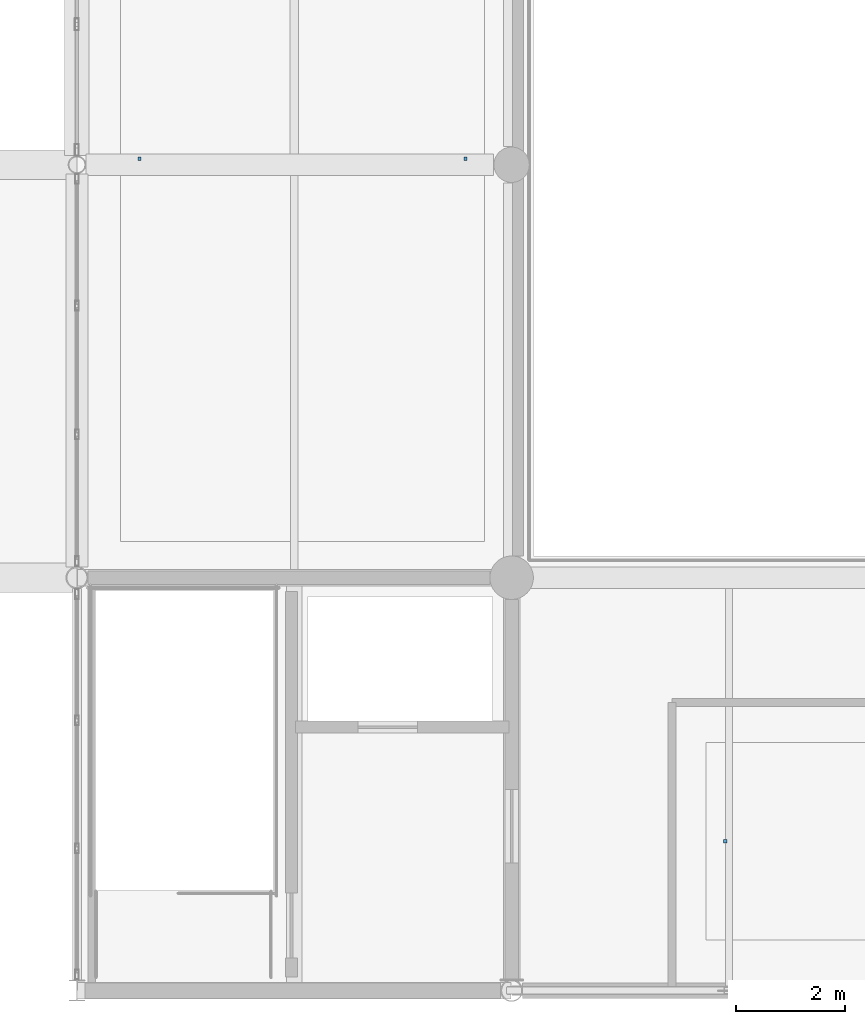
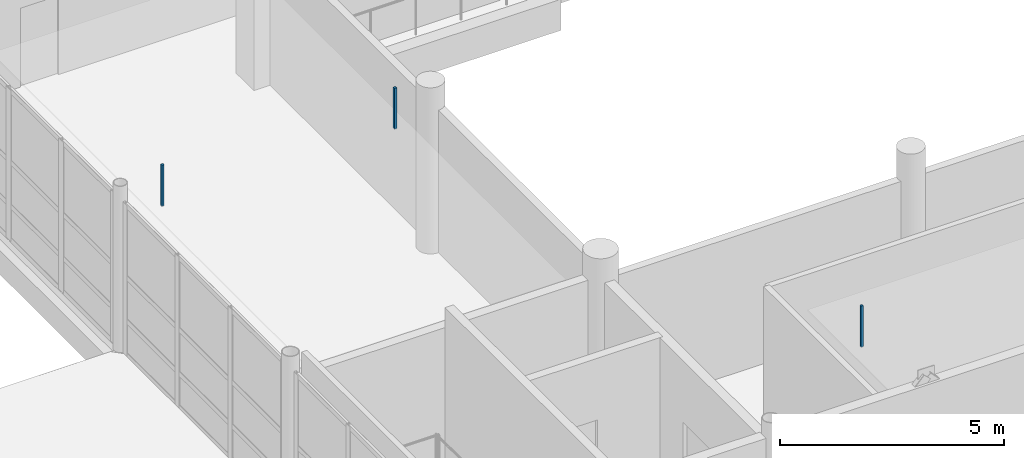
# One storey, part 85 of 107: 3 discrete accessories.
"""IFC4 building model written with IfcOpenShell, lengths in metres."""

import ifcopenshell
import ifcopenshell.guid

model = None  # the IFC model being written
_history = None  # IfcOwnerHistory: only IFC2X3 demands one
_inside = {}  # id of a spatial element -> (the spatial element, [elements in it])
_under = {}  # id of a project, library or spatial element -> (it, [spatial elements below it])
_declared = {}  # id of a project -> (the project, [libraries it declares])
_typed = {}  # id of a type object -> (the type object, [elements of that type])
_made_of = {}  # id of a material, layer set ... -> (it, [elements and type objects made of it])


def new_model(schema):
    """Start an empty IFC model of exactly this schema.

    Asked for "IFC4X3", IfcOpenShell would pick the latest addendum, in which some entities
    have other attributes; the version numbers below select the first issue.
    IFC2X3 requires an IfcOwnerHistory on every rooted entity: one is made here for all.
    """
    global model, _history
    if schema == "IFC4X3":
        model = ifcopenshell.file(schema_version=(4, 3, 0, 0))
    else:
        model = ifcopenshell.file(schema=schema)
    _inside.clear()
    _under.clear()
    _declared.clear()
    _typed.clear()
    _made_of.clear()
    _history = None
    if model.schema == "IFC2X3":
        org = make("IfcOrganization", Name="unknown")
        user = make(
            "IfcPersonAndOrganization",
            ThePerson=make("IfcPerson", FamilyName="unknown"),
            TheOrganization=org,
        )
        app = make(
            "IfcApplication",
            ApplicationDeveloper=org,
            Version="unknown",
            ApplicationFullName="unknown",
            ApplicationIdentifier="unknown",
        )
        _history = make(
            "IfcOwnerHistory",
            OwningUser=user,
            OwningApplication=app,
            ChangeAction="ADDED",
            CreationDate=0,
        )
    return model


def make(cls, **values):
    """One entity of the class cls with the attributes given. An attribute that is None is left unset."""
    return model.create_entity(
        cls, **{name: value for name, value in values.items() if value is not None}
    )


def rooted(cls, **values):
    """An entity with a GlobalId (a new one), such as an element, a storey or a relation."""
    return make(cls, GlobalId=ifcopenshell.guid.new(), OwnerHistory=_history, **values)


def si_unit(unit_type, name, prefix=None):
    """IfcSIUnit, for example si_unit("LENGTHUNIT", "METRE", prefix="MILLI")."""
    return make("IfcSIUnit", UnitType=unit_type, Prefix=prefix, Name=name)


def assignment(units):
    """IfcUnitAssignment: the units of a project."""
    return None if units is None else make("IfcUnitAssignment", Units=units)


def point(xyz):
    """IfcCartesianPoint."""
    return None if xyz is None else make("IfcCartesianPoint", Coordinates=xyz)


def direction(xyz):
    """IfcDirection."""
    return None if xyz is None else make("IfcDirection", DirectionRatios=xyz)


def frame(location, z_axis=None, x_axis=None):
    """IfcAxis2Placement3D, a coordinate frame: its origin and axes. An axis left out is left unset."""
    return make(
        "IfcAxis2Placement3D",
        Location=point(location),
        Axis=direction(z_axis),
        RefDirection=direction(x_axis),
    )


def frame_2d(location, x_axis=None):
    """IfcAxis2Placement2D, a coordinate frame in the plane: its origin and x axis."""
    return make(
        "IfcAxis2Placement2D", Location=point(location), RefDirection=direction(x_axis)
    )


def origin():
    """The frame at (0, 0, 0) with its axes left unset."""
    return frame((0.0, 0.0, 0.0))


def origin_2d():
    """The frame at (0, 0) in the plane with its x axis left unset."""
    return frame_2d((0.0, 0.0))


def place(relative_to, where):
    """IfcLocalPlacement: puts the frame where relative to a parent placement (None: the world)."""
    return make(
        "IfcLocalPlacement", PlacementRelTo=relative_to, RelativePlacement=where
    )


def context(
    kind, dimensions, precision=None, world=None, true_north=None, identifier=None
):
    """IfcGeometricRepresentationContext, for example the 3D "Model" context."""
    return make(
        "IfcGeometricRepresentationContext",
        ContextIdentifier=identifier,
        ContextType=kind,
        CoordinateSpaceDimension=dimensions,
        Precision=precision,
        WorldCoordinateSystem=world,
        TrueNorth=true_north,
    )


def subcontext(parent, identifier, kind, view, scale=None):
    """IfcGeometricRepresentationSubContext, for example "Body" below "Model"."""
    return make(
        "IfcGeometricRepresentationSubContext",
        ContextIdentifier=identifier,
        ContextType=kind,
        ParentContext=parent,
        TargetScale=scale,
        TargetView=view,
    )


def project(units=None, contexts=None):
    """IfcProject with its units and contexts."""
    return rooted(
        "IfcProject",
        Name="project",
        RepresentationContexts=contexts,
        UnitsInContext=assignment(units),
    )


def spatial(cls, under=None, at=None, **own):
    """A site, building, storey or space (cls), placed at a placement, below another one or the project."""
    s = rooted(cls, ObjectPlacement=at, **own)
    if under is not None:
        _under.setdefault(under.id(), (under, []))[1].append(s)
    return s


def profile(cls, at=None, kind="AREA", **sizes):
    """A parametric profile (cls). Its sizes go by their IFC names, for example OverallWidth=200.0."""
    return make(cls, ProfileType=kind, Position=at, **sizes)


def rectangle(**sizes):
    """IfcRectangleProfileDef."""
    return profile("IfcRectangleProfileDef", **sizes)


def extrude(swept, where, along, depth):
    """IfcExtrudedAreaSolid: the profile swept, set in the frame where, extruded along a direction by depth."""
    return make(
        "IfcExtrudedAreaSolid",
        SweptArea=swept,
        Position=where,
        ExtrudedDirection=direction(along),
        Depth=depth,
    )


def shape(context_of_items, identifier, shape_type, items):
    """IfcShapeRepresentation: the items that make up one representation, for example the "Body"."""
    return make(
        "IfcShapeRepresentation",
        ContextOfItems=context_of_items,
        RepresentationIdentifier=identifier,
        RepresentationType=shape_type,
        Items=items,
    )


def material(Name=None, Category=None):
    """IfcMaterial."""
    return make("IfcMaterial", Name=Name, Category=Category)


def made_of(thing, what):
    """Note that an element or type object is made of a material, layer set ...; save() writes the relation."""
    if what is not None:
        _made_of.setdefault(what.id(), (what, []))[1].append(thing)
    return thing


def type_object(cls, material=None, **own):
    """A type object (cls), such as IfcWallType, which elements share."""
    return made_of(rooted(cls, **own), material)


def element(
    cls,
    number,
    at=None,
    inside=None,
    cuts=None,
    type_object=None,
    material=None,
    context=None,
    identifier="Body",
    shape_type=None,
    held_by="IfcProductDefinitionShape",
    body=None,
    shapes=None,
    **own,
):
    """One element of the class cls, such as IfcWall. Its Tag is "e" and its number.

    at: its placement. inside: the storey or other place that contains it. cuts: it is an
    opening in that element (IfcRelVoidsElement). A single representation is given by context,
    identifier, shape_type and body (its items); several are given by shapes. held_by: the class
    of the entity that holds the representations. save() writes the other relations.
    """
    e = rooted(cls, Tag="e%d" % number, ObjectPlacement=at, **own)
    if body is not None:
        shapes = [shape(context, identifier, shape_type, body)]
    if shapes is not None:
        e.Representation = make(held_by, Representations=shapes)
    if inside is not None:
        _inside.setdefault(inside.id(), (inside, []))[1].append(e)
    if cuts is not None:
        rooted(
            "IfcRelVoidsElement", RelatingBuildingElement=cuts, RelatedOpeningElement=e
        )
    if type_object is not None:
        _typed.setdefault(type_object.id(), (type_object, []))[1].append(e)
    return made_of(e, material)


def aggregate(whole, parts):
    """IfcRelAggregates: a whole, such as a stair, and the parts it consists of."""
    return rooted("IfcRelAggregates", RelatingObject=whole, RelatedObjects=parts)


def save(model, path):
    """Write the relations noted so far, then the file.

    IfcRelAggregates (storeys below a building ...), IfcRelContainedInSpatialStructure (elements
    in a storey), IfcRelDefinesByType, IfcRelAssociatesMaterial and IfcRelDeclares: one each for
    every whole, place, type object, material and project.
    """
    for whole, parts in _under.values():
        aggregate(whole, parts)
    for where, things in _inside.values():
        rooted(
            "IfcRelContainedInSpatialStructure",
            RelatedElements=things,
            RelatingStructure=where,
        )
    for kind, things in _typed.values():
        rooted("IfcRelDefinesByType", RelatedObjects=things, RelatingType=kind)
    for what, things in _made_of.values():
        rooted("IfcRelAssociatesMaterial", RelatedObjects=things, RelatingMaterial=what)
    for by, libraries in _declared.values():
        rooted("IfcRelDeclares", RelatingContext=by, RelatedDefinitions=libraries)
    model.write(path)


model = new_model("IFC4")

# Units and contexts
model_context = context("Model", 3, precision=1e-05, world=origin(), true_north=direction((0.0, 1.0)))
body_context = subcontext(model_context, "Body", "Model", "MODEL_VIEW")
ifc_project = project(units=[si_unit("LENGTHUNIT", "METRE"), si_unit("AREAUNIT", "SQUARE_METRE"), si_unit("VOLUMEUNIT", "CUBIC_METRE"), si_unit("PLANEANGLEUNIT", "RADIAN"), si_unit("MASSUNIT", "GRAM", prefix="KILO")], contexts=[model_context])

# Site, building, storey
site_placement = place(None, origin())
site = spatial("IfcSite", under=ifc_project, at=site_placement, CompositionType="ELEMENT")
building_placement = place(site_placement, origin())
building = spatial("IfcBuilding", under=site, at=building_placement, Name="Khelvaren Railside Concert Hall", CompositionType="ELEMENT")
storey_placement = place(building_placement, frame((0.0, 0.0, 15.0)))
storey = spatial("IfcBuildingStorey", under=building, at=storey_placement, Name="L03", CompositionType="ELEMENT", Elevation=15.0)

# Discrete accessories
ifc_material = material(Name="Galvanised steel acoustic ceiling hanger rod", Category="steel")
discrete_accessory_type = type_object("IfcDiscreteAccessoryType", Name="BRK62", PredefinedType="BRACKET", material=ifc_material)
for number, where, z_axis, x_axis, name in (
    (1, (145.14990234375, 15.31005859375, 3.429931640625), (0.0, 0.0, 1.0), (1.0, 0.0, 0.0), "Acoustic Ceiling Suspension Bracket 60-1"),
    (2, (151.14990234375, 15.31005859375, 3.429931640625), (0.0, 0.0, 1.0), (1.0, 0.0, 0.0), "Acoustic Ceiling Suspension Bracket 60-2"),
    (3, (155.929931640625, 2.75, 3.429931640625), (0.0, 0.0, 1.0), (1.0, 0.0, 0.0), "Acoustic Ceiling Suspension Bracket 62-1"),
):
    element("IfcDiscreteAccessory", number, at=place(storey_placement, frame(where, z_axis=z_axis, x_axis=x_axis)), inside=storey, type_object=discrete_accessory_type, Name=name, PredefinedType="BRACKET", context=body_context, shape_type="SweptSolid", body=[
        extrude(rectangle(XDim=0.06005859375, YDim=0.06005859375, at=origin_2d()), origin(), (0.0, 0.0, 1.0), 1.1201171875),
    ])

save(model, "model.ifc")
